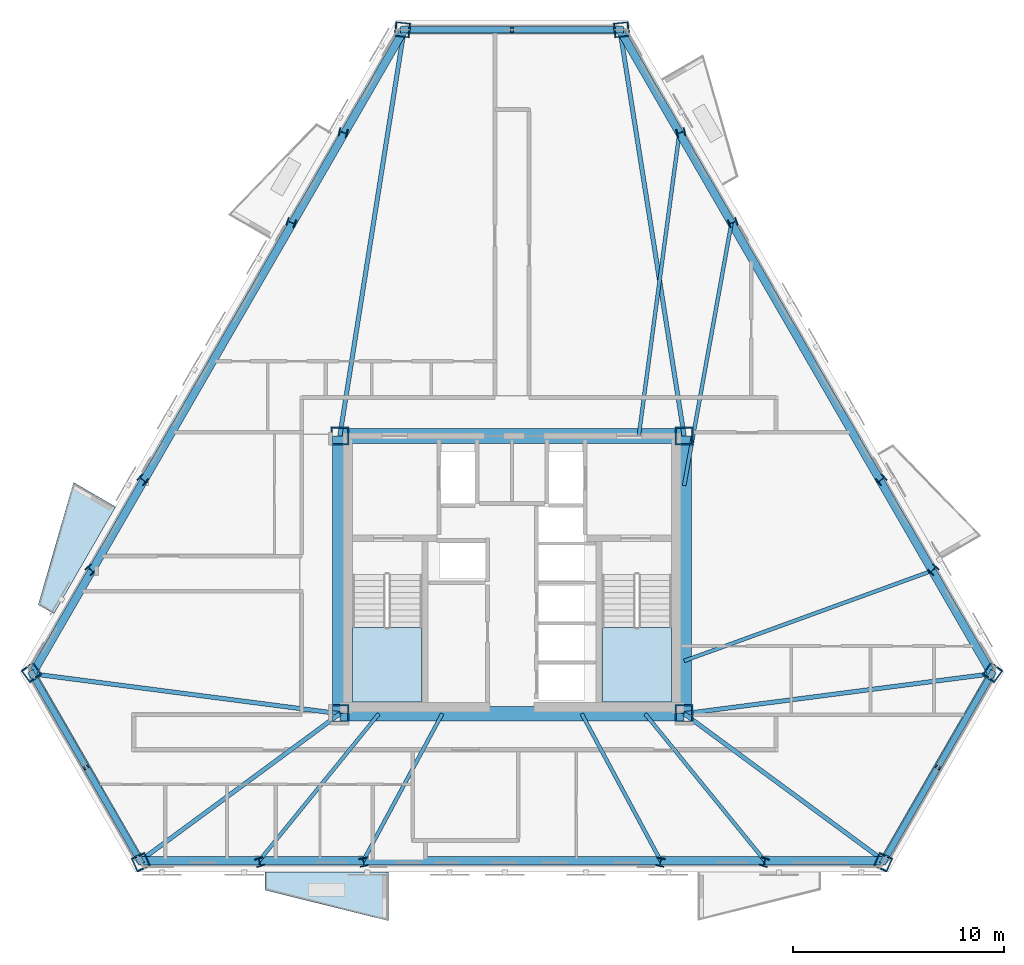
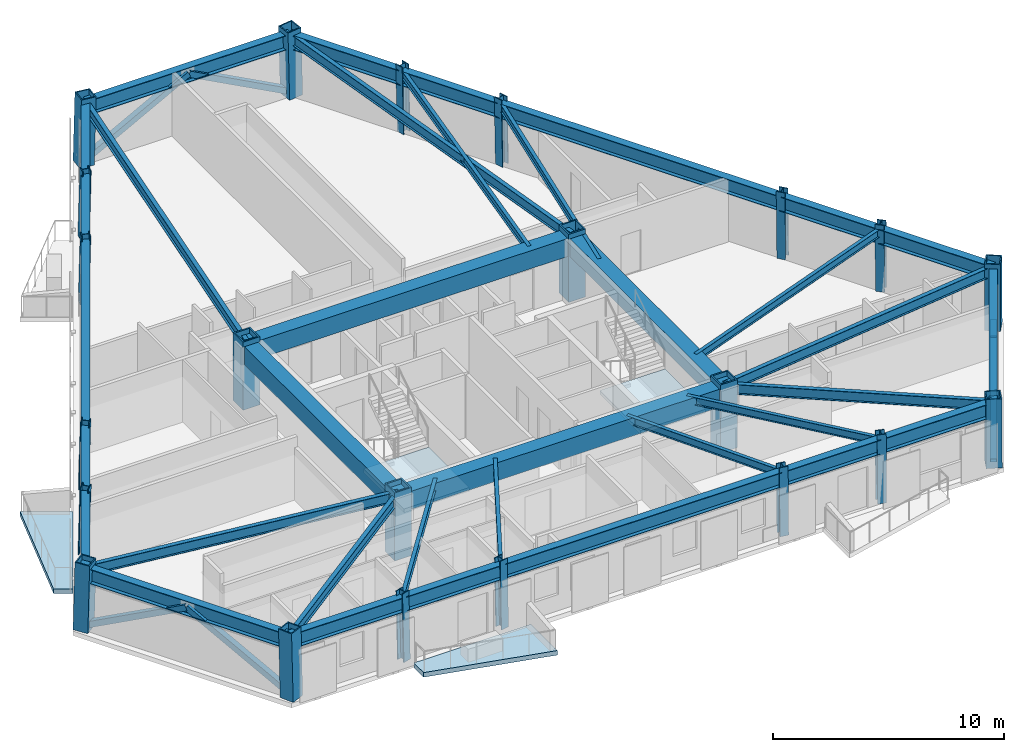
# One storey, part 1 of 9: 35 beams, 22 columns, 6 members, 4 slabs, 2 elements without a shape of their own.
"""IFC4 building model written with IfcOpenShell, lengths in metres."""

import ifcopenshell
import ifcopenshell.guid

model = None  # the IFC model being written
_history = None  # IfcOwnerHistory: only IFC2X3 demands one
_inside = {}  # id of a spatial element -> (the spatial element, [elements in it])
_under = {}  # id of a project, library or spatial element -> (it, [spatial elements below it])
_declared = {}  # id of a project -> (the project, [libraries it declares])
_typed = {}  # id of a type object -> (the type object, [elements of that type])
_made_of = {}  # id of a material, layer set ... -> (it, [elements and type objects made of it])


def new_model(schema):
    """Start an empty IFC model of exactly this schema.

    Asked for "IFC4X3", IfcOpenShell would pick the latest addendum, in which some entities
    have other attributes; the version numbers below select the first issue.
    IFC2X3 requires an IfcOwnerHistory on every rooted entity: one is made here for all.
    """
    global model, _history
    if schema == "IFC4X3":
        model = ifcopenshell.file(schema_version=(4, 3, 0, 0))
    else:
        model = ifcopenshell.file(schema=schema)
    _inside.clear()
    _under.clear()
    _declared.clear()
    _typed.clear()
    _made_of.clear()
    _history = None
    if model.schema == "IFC2X3":
        org = make("IfcOrganization", Name="unknown")
        user = make(
            "IfcPersonAndOrganization",
            ThePerson=make("IfcPerson", FamilyName="unknown"),
            TheOrganization=org,
        )
        app = make(
            "IfcApplication",
            ApplicationDeveloper=org,
            Version="unknown",
            ApplicationFullName="unknown",
            ApplicationIdentifier="unknown",
        )
        _history = make(
            "IfcOwnerHistory",
            OwningUser=user,
            OwningApplication=app,
            ChangeAction="ADDED",
            CreationDate=0,
        )
    return model


def make(cls, **values):
    """One entity of the class cls with the attributes given. An attribute that is None is left unset."""
    return model.create_entity(
        cls, **{name: value for name, value in values.items() if value is not None}
    )


def rooted(cls, **values):
    """An entity with a GlobalId (a new one), such as an element, a storey or a relation."""
    return make(cls, GlobalId=ifcopenshell.guid.new(), OwnerHistory=_history, **values)


def si_unit(unit_type, name, prefix=None):
    """IfcSIUnit, for example si_unit("LENGTHUNIT", "METRE", prefix="MILLI")."""
    return make("IfcSIUnit", UnitType=unit_type, Prefix=prefix, Name=name)


def assignment(units):
    """IfcUnitAssignment: the units of a project."""
    return None if units is None else make("IfcUnitAssignment", Units=units)


def point(xyz):
    """IfcCartesianPoint."""
    return None if xyz is None else make("IfcCartesianPoint", Coordinates=xyz)


def direction(xyz):
    """IfcDirection."""
    return None if xyz is None else make("IfcDirection", DirectionRatios=xyz)


def frame(location, z_axis=None, x_axis=None):
    """IfcAxis2Placement3D, a coordinate frame: its origin and axes. An axis left out is left unset."""
    return make(
        "IfcAxis2Placement3D",
        Location=point(location),
        Axis=direction(z_axis),
        RefDirection=direction(x_axis),
    )


def frame_2d(location, x_axis=None):
    """IfcAxis2Placement2D, a coordinate frame in the plane: its origin and x axis."""
    return make(
        "IfcAxis2Placement2D", Location=point(location), RefDirection=direction(x_axis)
    )


def origin():
    """The frame at (0, 0, 0) with its axes left unset."""
    return frame((0.0, 0.0, 0.0))


def origin_2d():
    """The frame at (0, 0) in the plane with its x axis left unset."""
    return frame_2d((0.0, 0.0))


def place(relative_to, where):
    """IfcLocalPlacement: puts the frame where relative to a parent placement (None: the world)."""
    return make(
        "IfcLocalPlacement", PlacementRelTo=relative_to, RelativePlacement=where
    )


def context(
    kind, dimensions, precision=None, world=None, true_north=None, identifier=None
):
    """IfcGeometricRepresentationContext, for example the 3D "Model" context."""
    return make(
        "IfcGeometricRepresentationContext",
        ContextIdentifier=identifier,
        ContextType=kind,
        CoordinateSpaceDimension=dimensions,
        Precision=precision,
        WorldCoordinateSystem=world,
        TrueNorth=true_north,
    )


def subcontext(parent, identifier, kind, view, scale=None):
    """IfcGeometricRepresentationSubContext, for example "Body" below "Model"."""
    return make(
        "IfcGeometricRepresentationSubContext",
        ContextIdentifier=identifier,
        ContextType=kind,
        ParentContext=parent,
        TargetScale=scale,
        TargetView=view,
    )


def project(units=None, contexts=None):
    """IfcProject with its units and contexts."""
    return rooted(
        "IfcProject",
        Name="project",
        RepresentationContexts=contexts,
        UnitsInContext=assignment(units),
    )


def spatial(cls, under=None, at=None, **own):
    """A site, building, storey or space (cls), placed at a placement, below another one or the project."""
    s = rooted(cls, ObjectPlacement=at, **own)
    if under is not None:
        _under.setdefault(under.id(), (under, []))[1].append(s)
    return s


def polyline(points):
    """IfcPolyline through the points."""
    return make("IfcPolyline", Points=[point(p) for p in points])


def profile(cls, at=None, kind="AREA", **sizes):
    """A parametric profile (cls). Its sizes go by their IFC names, for example OverallWidth=200.0."""
    return make(cls, ProfileType=kind, Position=at, **sizes)


def rectangle(**sizes):
    """IfcRectangleProfileDef."""
    return profile("IfcRectangleProfileDef", **sizes)


def hollow_rectangle(**sizes):
    """IfcRectangleHollowProfileDef."""
    return profile("IfcRectangleHollowProfileDef", **sizes)


def i_section(**sizes):
    """IfcIShapeProfileDef."""
    return profile("IfcIShapeProfileDef", **sizes)


def outline(outer, holes=None, kind="AREA"):
    """IfcArbitraryClosedProfileDef: a profile drawn as a closed curve; with holes, ...WithVoids."""
    if holes is None:
        return make("IfcArbitraryClosedProfileDef", ProfileType=kind, OuterCurve=outer)
    return make(
        "IfcArbitraryProfileDefWithVoids",
        ProfileType=kind,
        OuterCurve=outer,
        InnerCurves=holes,
    )


def extrude(swept, where, along, depth):
    """IfcExtrudedAreaSolid: the profile swept, set in the frame where, extruded along a direction by depth."""
    return make(
        "IfcExtrudedAreaSolid",
        SweptArea=swept,
        Position=where,
        ExtrudedDirection=direction(along),
        Depth=depth,
    )


def shape(context_of_items, identifier, shape_type, items):
    """IfcShapeRepresentation: the items that make up one representation, for example the "Body"."""
    return make(
        "IfcShapeRepresentation",
        ContextOfItems=context_of_items,
        RepresentationIdentifier=identifier,
        RepresentationType=shape_type,
        Items=items,
    )


def material(Name=None, Category=None):
    """IfcMaterial."""
    return make("IfcMaterial", Name=Name, Category=Category)


def layer(
    of_material, thickness, ventilated=None, Name=None, Category=None, Priority=None
):
    """IfcMaterialLayer: one layer of a wall or slab, of a material (None: an air gap)."""
    return make(
        "IfcMaterialLayer",
        Material=of_material,
        LayerThickness=thickness,
        IsVentilated=ventilated,
        Name=Name,
        Category=Category,
        Priority=Priority,
    )


def layer_set(layers, Name=None):
    """IfcMaterialLayerSet."""
    return make("IfcMaterialLayerSet", MaterialLayers=layers, LayerSetName=Name)


def material_profile(
    of_material, cross_section, Name=None, Category=None, Priority=None
):
    """IfcMaterialProfile: a cross section and its material."""
    return make(
        "IfcMaterialProfile",
        Name=Name,
        Material=of_material,
        Profile=cross_section,
        Priority=Priority,
        Category=Category,
    )


def profile_set(profiles, Name=None, composite=None):
    """IfcMaterialProfileSet."""
    return make(
        "IfcMaterialProfileSet",
        Name=Name,
        MaterialProfiles=profiles,
        CompositeProfile=composite,
    )


def made_of(thing, what):
    """Note that an element or type object is made of a material, layer set ...; save() writes the relation."""
    if what is not None:
        _made_of.setdefault(what.id(), (what, []))[1].append(thing)
    return thing


def type_object(cls, material=None, **own):
    """A type object (cls), such as IfcWallType, which elements share."""
    return made_of(rooted(cls, **own), material)


def element(
    cls,
    number,
    at=None,
    inside=None,
    cuts=None,
    type_object=None,
    material=None,
    context=None,
    identifier="Body",
    shape_type=None,
    held_by="IfcProductDefinitionShape",
    body=None,
    shapes=None,
    **own,
):
    """One element of the class cls, such as IfcWall. Its Tag is "e" and its number.

    at: its placement. inside: the storey or other place that contains it. cuts: it is an
    opening in that element (IfcRelVoidsElement). A single representation is given by context,
    identifier, shape_type and body (its items); several are given by shapes. held_by: the class
    of the entity that holds the representations. save() writes the other relations.
    """
    e = rooted(cls, Tag="e%d" % number, ObjectPlacement=at, **own)
    if body is not None:
        shapes = [shape(context, identifier, shape_type, body)]
    if shapes is not None:
        e.Representation = make(held_by, Representations=shapes)
    if inside is not None:
        _inside.setdefault(inside.id(), (inside, []))[1].append(e)
    if cuts is not None:
        rooted(
            "IfcRelVoidsElement", RelatingBuildingElement=cuts, RelatedOpeningElement=e
        )
    if type_object is not None:
        _typed.setdefault(type_object.id(), (type_object, []))[1].append(e)
    return made_of(e, material)


def aggregate(whole, parts):
    """IfcRelAggregates: a whole, such as a stair, and the parts it consists of."""
    return rooted("IfcRelAggregates", RelatingObject=whole, RelatedObjects=parts)


def save(model, path):
    """Write the relations noted so far, then the file.

    IfcRelAggregates (storeys below a building ...), IfcRelContainedInSpatialStructure (elements
    in a storey), IfcRelDefinesByType, IfcRelAssociatesMaterial and IfcRelDeclares: one each for
    every whole, place, type object, material and project.
    """
    for whole, parts in _under.values():
        aggregate(whole, parts)
    for where, things in _inside.values():
        rooted(
            "IfcRelContainedInSpatialStructure",
            RelatedElements=things,
            RelatingStructure=where,
        )
    for kind, things in _typed.values():
        rooted("IfcRelDefinesByType", RelatedObjects=things, RelatingType=kind)
    for what, things in _made_of.values():
        rooted("IfcRelAssociatesMaterial", RelatedObjects=things, RelatingMaterial=what)
    for by, libraries in _declared.values():
        rooted("IfcRelDeclares", RelatingContext=by, RelatedDefinitions=libraries)
    model.write(path)


model = new_model("IFC4")

# Units and contexts
model_context = context("Model", 3, precision=1e-05, world=origin(), true_north=direction((0.0, 1.0)))
body_context = subcontext(model_context, "Body", "Model", "MODEL_VIEW")
ifc_project = project(units=[si_unit("LENGTHUNIT", "METRE"), si_unit("AREAUNIT", "SQUARE_METRE"), si_unit("VOLUMEUNIT", "CUBIC_METRE"), si_unit("PLANEANGLEUNIT", "RADIAN"), si_unit("MASSUNIT", "GRAM", prefix="KILO")], contexts=[model_context])

# Site, building, storey
site_placement = place(None, origin())
site = spatial("IfcSite", under=ifc_project, at=site_placement, CompositionType="ELEMENT")
building_placement = place(site_placement, origin())
building = spatial("IfcBuilding", under=site, at=building_placement, Name="Oramaril Tower", CompositionType="ELEMENT")
storey_placement = place(building_placement, frame((0.0, 0.0, 130.199951171875)))
storey = spatial("IfcBuildingStorey", under=building, at=storey_placement, Name="L34", CompositionType="ELEMENT", Elevation=130.199951171875)

# Columns
ifc_material_1 = material(Name="Steel ASTM A572 Gr 50", Category="steel")
ifc_material_profile_1 = material_profile(ifc_material_1, hollow_rectangle(XDim=0.85009765625, YDim=0.85009765625, WallThickness=0.070068359375, at=origin_2d()), Name="BOX850X850X70")
ifc_profile_set_1 = profile_set([ifc_material_profile_1], Name="Steel ASTM A572 Gr 50")
column_type_1 = type_object("IfcColumnType", Name="CT-CC3", PredefinedType="COLUMN", material=ifc_profile_set_1)
for number, where, z_axis, x_axis, name in (
    (1, (29.35009765625, 11.0, 0.0), (0.0, 0.0, 1.0), (1.0, 0.0, 0.0), "L34 Core Column CC-1"),
    (2, (45.64990234375, 11.0, 0.0), (0.0, 0.0, 1.0), (1.0, 0.0, 0.0), "L34 Core Column CC-2"),
    (3, (45.64990234375, 24.14990234375, 0.0), (0.0, 0.0, 1.0), (1.0, 0.0, 0.0), "L34 Core Column CC-3"),
    (4, (29.35009765625, 24.14990234375, 0.0), (0.0, 0.0, 1.0), (1.0, 0.0, 0.0), "L34 Core Column CC-4"),
):
    element("IfcColumn", number, at=place(storey_placement, frame(where, z_axis=z_axis, x_axis=x_axis)), inside=storey, type_object=column_type_1, Name=name, PredefinedType="COLUMN", context=body_context, shape_type="SweptSolid", body=[
        extrude(hollow_rectangle(XDim=0.85009765625, YDim=0.85009765625, WallThickness=0.070068359375, at=origin_2d()), origin(), (0.0, 0.0, 1.0), 3.60009765625),
    ])
ifc_material_2 = material(Name="Steel ASTM A572 Gr 50", Category="steel")
ifc_material_profile_2 = material_profile(ifc_material_2, hollow_rectangle(XDim=0.699951171875, YDim=0.699951171875, WallThickness=0.054931640625, at=origin_2d()), Name="BOX700X700X55")
ifc_profile_set_2 = profile_set([ifc_material_profile_2], Name="Steel ASTM A572 Gr 50")
column_type_2 = type_object("IfcColumnType", Name="CT-TC4", PredefinedType="COLUMN", material=ifc_profile_set_2)
for number, where, z_axis, x_axis, name in (
    (5, (14.741943359375, 12.9619140625, 0.004638671875), (0.014477524401, -0.019915092251, 0.999696849244), (0.808855444891, 0.588007541849, 0.0), "L34 Tube Column TC-01"),
    (6, (19.939208984375, 3.9599609375, 0.004638671875), (-0.009991532032, 0.022497939474, 0.999696960087), (-0.913925372662, -0.4058822652, 0.0), "L34 Tube Column TC-02"),
    (7, (55.060791015625, 3.9599609375, 0.004638671875), (0.009991532032, 0.022497939474, 0.999696960087), (-0.913925372662, 0.4058822652, 0.0), "L34 Tube Column TC-03"),
    (8, (60.258056640625, 12.9619140625, 0.004638671875), (-0.014477524401, -0.019915092251, 0.999696849244), (0.808855444891, -0.588007541849, 0.0), "L34 Tube Column TC-04"),
    (9, (42.697265625, 43.378173828125, 0.004638671875), (-0.02446906516, -0.002582845767, 0.99969725105), (0.104972375691, -0.994475138122, 0.0), "L34 Tube Column TC-05"),
    (10, (32.302734375, 43.378173828125, 0.004638671875), (0.02446906516, -0.002582845767, 0.99969725105), (0.104972375691, 0.994475138122, 0.0), "L34 Tube Column TC-06"),
):
    element("IfcColumn", number, at=place(storey_placement, frame(where, z_axis=z_axis, x_axis=x_axis)), inside=storey, type_object=column_type_2, Name=name, PredefinedType="COLUMN", context=body_context, shape_type="SweptSolid", body=[
        extrude(hollow_rectangle(XDim=0.699951171875, YDim=0.699951171875, WallThickness=0.054931640625, at=origin_2d()), origin(), (0.0, 0.0, 1.0), 3.591796875),
    ])
ifc_material_3 = material(Name="Steel ASTM A572 Gr 50", Category="steel")
ifc_material_profile_3 = material_profile(ifc_material_3, i_section(OverallWidth=0.404052734375, OverallDepth=0.406005859375, WebThickness=0.027099609375, FlangeThickness=0.043701171875, at=origin_2d()), Name="W14X233")
ifc_profile_set_3 = profile_set([ifc_material_profile_3], Name="Steel ASTM A572 Gr 50")
column_type_3 = type_object("IfcColumnType", Name="CT-TF3", PredefinedType="COLUMN", material=ifc_profile_set_3)
for number, where, z_axis, x_axis, name in (
    (11, (25.55859375, 3.9599609375, 0.004638671875), (-0.006797142841, 0.022498542804, 0.999723769059), (-0.95726730132, -0.289204622755, 0.0), "L34 Tube Column TC-07"),
    (12, (30.4755859375, 3.9599609375, 0.004638671875), (-0.00401037467, 0.022498881623, 0.999738824504), (-0.984482674186, -0.175481805973, 0.0), "L34 Tube Column TC-08"),
    (13, (44.5244140625, 3.9599609375, 0.004638671875), (0.00401037467, 0.022498881623, 0.999738824504), (-0.984482674186, 0.175481805973, 0.0), "L34 Tube Column TC-09"),
    (14, (49.44140625, 3.9599609375, 0.004638671875), (0.006797142841, 0.022498542804, 0.999723769059), (-0.95726730132, 0.289204622755, 0.0), "L34 Tube Column TC-10"),
    (15, (57.448486328125, 17.82861328125, 0.004638671875), (-0.016109224365, -0.017128795528, 0.999723510404), (0.72845453556, -0.685094146539, 0.0), "L34 Tube Column TC-11"),
    (16, (54.989990234375, 22.0869140625, 0.004638671875), (-0.017536867872, -0.014750001272, 0.999737413388), (0.643678913108, -0.765295666276, 0.0), "L34 Tube Column TC-12"),
    (17, (47.965576171875, 34.25341796875, 0.004638671875), (-0.021479292907, -0.00781683128, 0.999738734433), (0.341981820704, -0.939706568195, 0.0), "L34 Tube Column TC-13"),
    (18, (45.507080078125, 38.51171875, 0.004638671875), (-0.022906349785, -0.005437709148, 0.999722826817), (0.230969943221, -0.972960885816, 0.0), "L34 Tube Column TC-14"),
    (19, (29.492919921875, 38.51171875, 0.004638671875), (0.022906349785, -0.005437709148, 0.999722826817), (0.230969943221, 0.972960885816, 0.0), "L34 Tube Column TC-15"),
    (20, (27.034423828125, 34.25341796875, 0.004638671875), (0.021479292907, -0.00781683128, 0.999738734433), (0.341981820704, 0.939706568195, 0.0), "L34 Tube Column TC-16"),
    (21, (20.010009765625, 22.0869140625, 0.004638671875), (0.017536867872, -0.014750001272, 0.999737413388), (0.643678913108, 0.765295666276, 0.0), "L34 Tube Column TC-17"),
    (22, (17.551513671875, 17.82861328125, 0.004638671875), (0.016109224365, -0.017128795528, 0.999723510404), (0.72845453556, 0.685094146539, 0.0), "L34 Tube Column TC-18"),
):
    element("IfcColumn", number, at=place(storey_placement, frame(where, z_axis=z_axis, x_axis=x_axis)), inside=storey, type_object=column_type_3, Name=name, PredefinedType="COLUMN", context=body_context, shape_type="SweptSolid", body=[
        extrude(i_section(OverallWidth=0.404052734375, OverallDepth=0.406005859375, WebThickness=0.027099609375, FlangeThickness=0.043701171875, at=origin_2d()), origin(), (0.0, 0.0, 1.0), 3.591796875),
    ])

# Beams
ifc_material_4 = material(Name="Concrete C50/60", Category="concrete")
ifc_material_profile_4 = material_profile(ifc_material_4, rectangle(XDim=0.699951171875, YDim=0.949951171875, at=origin_2d()), Name="CB700X950")
ifc_profile_set_4 = profile_set([ifc_material_profile_4], Name="Concrete C50/60")
beam_type_1 = type_object("IfcBeamType", Name="BT-CB1", PredefinedType="BEAM", material=ifc_profile_set_4)
beam_1_placement = place(storey_placement, frame((29.35009765625, 11.0, 2.864990234375), z_axis=(1.0, 0.0, 0.0), x_axis=(0.0, 1.0, 0.0)))
element("IfcBeam", 23, at=beam_1_placement, inside=storey, type_object=beam_type_1, Name="L34 Core Header Beam CB-1", PredefinedType="BEAM", context=body_context, shape_type="SweptSolid", body=[
    extrude(rectangle(XDim=0.699951171875, YDim=0.949951171875, at=origin_2d()), origin(), (0.0, 0.0, 1.0), 16.2998046875),
])
beam_2_placement = place(storey_placement, frame((45.64990234375, 11.0, 2.864990234375), z_axis=(0.0, 1.0, 0.0), x_axis=(-1.0, 0.0, 0.0)))
element("IfcBeam", 24, at=beam_2_placement, inside=storey, type_object=beam_type_1, Name="L34 Core Header Beam CB-2", PredefinedType="BEAM", context=body_context, shape_type="SweptSolid", body=[
    extrude(rectangle(XDim=0.699951171875, YDim=0.949951171875, at=origin_2d()), origin(), (0.0, 0.0, 1.0), 13.14990234375),
])
beam_3_placement = place(storey_placement, frame((45.64990234375, 24.14990234375, 2.864990234375), z_axis=(-1.0, 0.0, 0.0), x_axis=(0.0, -1.0, 0.0)))
element("IfcBeam", 25, at=beam_3_placement, inside=storey, type_object=beam_type_1, Name="L34 Core Header Beam CB-3", PredefinedType="BEAM", context=body_context, shape_type="SweptSolid", body=[
    extrude(rectangle(XDim=0.699951171875, YDim=0.949951171875, at=origin_2d()), origin(), (0.0, 0.0, 1.0), 16.2998046875),
])
beam_4_placement = place(storey_placement, frame((29.35009765625, 24.14990234375, 2.864990234375), z_axis=(0.0, -1.0, 0.0), x_axis=(1.0, 0.0, 0.0)))
element("IfcBeam", 26, at=beam_4_placement, inside=storey, type_object=beam_type_1, Name="L34 Core Header Beam CB-4", PredefinedType="BEAM", context=body_context, shape_type="SweptSolid", body=[
    extrude(rectangle(XDim=0.699951171875, YDim=0.949951171875, at=origin_2d()), origin(), (0.0, 0.0, 1.0), 13.14990234375),
])
ifc_material_5 = material(Name="Steel ASTM A572 Gr 50", Category="steel")
ifc_material_profile_5 = material_profile(ifc_material_5, i_section(OverallWidth=0.2099609375, OverallDepth=0.535888671875, WebThickness=0.010986328125, FlangeThickness=0.017333984375, at=origin_2d()), Name="W21X68")
ifc_profile_set_5 = profile_set([ifc_material_profile_5], Name="Steel ASTM A572 Gr 50")
beam_type_2 = type_object("IfcBeamType", Name="BT-FB2", PredefinedType="BEAM", material=ifc_profile_set_5)
beam_5_placement = place(storey_placement, frame((29.35009765625, 11.0, 3.072021484375), z_axis=(-0.991672321813, 0.128786669146, 0.0), x_axis=(-0.128786669146, -0.991672321813, 0.0)))
element("IfcBeam", 27, at=beam_5_placement, inside=storey, type_object=beam_type_2, Name="L34 Radial Primary Beam RB-01", PredefinedType="BEAM", context=body_context, shape_type="SweptSolid", body=[
    extrude(i_section(OverallWidth=0.2099609375, OverallDepth=0.535888671875, WebThickness=0.010986328125, FlangeThickness=0.017333984375, at=origin_2d()), origin(), (0.0, 0.0, 1.0), 14.678466796875),
])
for number, where, z_axis, x_axis, name in (
    (28, (29.35009765625, 11.0, 3.072021484375), (-0.805119113975, -0.593113153043, 0.0), (0.593113153043, -0.805119113975, 0.0), "L34 Radial Primary Beam RB-02"),
    (29, (45.64990234375, 11.0, 3.072021484375), (0.805119113975, -0.593113153043, 0.0), (0.593113153043, 0.805119113975, 0.0), "L34 Radial Primary Beam RB-03"),
):
    element("IfcBeam", number, at=place(storey_placement, frame(where, z_axis=z_axis, x_axis=x_axis)), inside=storey, type_object=beam_type_2, Name=name, PredefinedType="BEAM", context=body_context, shape_type="SweptSolid", body=[
        extrude(i_section(OverallWidth=0.2099609375, OverallDepth=0.535888671875, WebThickness=0.010986328125, FlangeThickness=0.017333984375, at=origin_2d()), origin(), (0.0, 0.0, 1.0), 11.7333984375),
    ])
beam_6_placement = place(storey_placement, frame((45.64990234375, 11.0, 3.072021484375), z_axis=(0.991672321813, 0.128786669146, 0.0), x_axis=(-0.128786669146, 0.991672321813, 0.0)))
element("IfcBeam", 30, at=beam_6_placement, inside=storey, type_object=beam_type_2, Name="L34 Radial Primary Beam RB-04", PredefinedType="BEAM", context=body_context, shape_type="SweptSolid", body=[
    extrude(i_section(OverallWidth=0.2099609375, OverallDepth=0.535888671875, WebThickness=0.010986328125, FlangeThickness=0.017333984375, at=origin_2d()), origin(), (0.0, 0.0, 1.0), 14.678466796875),
])
for number, where, z_axis, x_axis, name in (
    (31, (45.64990234375, 24.14990234375, 3.072021484375), (-0.156260880799, 0.987715818002, 0.0), (-0.987715818002, -0.156260880799, 0.0), "L34 Radial Primary Beam RB-05"),
    (32, (29.35009765625, 24.14990234375, 3.072021484375), (0.156260880799, 0.987715818002, 0.0), (-0.987715818002, 0.156260880799, 0.0), "L34 Radial Primary Beam RB-06"),
):
    element("IfcBeam", number, at=place(storey_placement, frame(where, z_axis=z_axis, x_axis=x_axis)), inside=storey, type_object=beam_type_2, Name=name, PredefinedType="BEAM", context=body_context, shape_type="SweptSolid", body=[
        extrude(i_section(OverallWidth=0.2099609375, OverallDepth=0.535888671875, WebThickness=0.010986328125, FlangeThickness=0.017333984375, at=origin_2d()), origin(), (0.0, 0.0, 1.0), 19.4580078125),
    ])
ifc_material_6 = material(Name="Steel ASTM A572 Gr 50", Category="steel")
ifc_material_profile_6 = material_profile(ifc_material_6, i_section(OverallWidth=0.177978515625, OverallDepth=0.404052734375, WebThickness=0.007568359375, FlangeThickness=0.010986328125, at=origin_2d()), Name="W16X36")
ifc_profile_set_6 = profile_set([ifc_material_profile_6], Name="Steel ASTM A572 Gr 50")
beam_type_3 = type_object("IfcBeamType", Name="BT-SB1", PredefinedType="BEAM", material=ifc_profile_set_6)
beam_7_placement = place(storey_placement, frame((31.199951171875, 11.0, 3.137939453125), z_axis=(-0.631357400598, -0.775491993969, 0.0), x_axis=(0.775491993969, -0.631357400598, 0.0)))
element("IfcBeam", 33, at=beam_7_placement, inside=storey, type_object=beam_type_3, Name="L34 Secondary Floor Beam SB-01", PredefinedType="BEAM", context=body_context, shape_type="SweptSolid", body=[
    extrude(i_section(OverallWidth=0.177978515625, OverallDepth=0.404052734375, WebThickness=0.007568359375, FlangeThickness=0.010986328125, at=origin_2d()), origin(), (0.0, 0.0, 1.0), 8.973876953125),
])
for number, where, z_axis, x_axis, name in (
    (34, (34.199951171875, 11.0, 3.137939453125), (-0.473264775016, -0.880920230628, 0.0), (0.880920230628, -0.473264775016, 0.0), "L34 Secondary Floor Beam SB-02"),
    (35, (40.800048828125, 11.0, 3.137939453125), (0.473264775016, -0.880920230628, 0.0), (0.880920230628, 0.473264775016, 0.0), "L34 Secondary Floor Beam SB-03"),
):
    element("IfcBeam", number, at=place(storey_placement, frame(where, z_axis=z_axis, x_axis=x_axis)), inside=storey, type_object=beam_type_3, Name=name, PredefinedType="BEAM", context=body_context, shape_type="SweptSolid", body=[
        extrude(i_section(OverallWidth=0.177978515625, OverallDepth=0.404052734375, WebThickness=0.007568359375, FlangeThickness=0.010986328125, at=origin_2d()), origin(), (0.0, 0.0, 1.0), 7.89990234375),
    ])
beam_8_placement = place(storey_placement, frame((43.800048828125, 11.0, 3.137939453125), z_axis=(0.631357400598, -0.775491993969, 0.0), x_axis=(0.775491993969, 0.631357400598, 0.0)))
element("IfcBeam", 36, at=beam_8_placement, inside=storey, type_object=beam_type_3, Name="L34 Secondary Floor Beam SB-04", PredefinedType="BEAM", context=body_context, shape_type="SweptSolid", body=[
    extrude(i_section(OverallWidth=0.177978515625, OverallDepth=0.404052734375, WebThickness=0.007568359375, FlangeThickness=0.010986328125, at=origin_2d()), origin(), (0.0, 0.0, 1.0), 8.973876953125),
])
beam_9_placement = place(storey_placement, frame((45.64990234375, 13.5, 3.137939453125), z_axis=(0.93985161269, 0.341583000345, 0.0), x_axis=(-0.341583000345, 0.93985161269, 0.0)))
element("IfcBeam", 37, at=beam_9_placement, inside=storey, type_object=beam_type_3, Name="L34 Secondary Floor Beam SB-05", PredefinedType="BEAM", context=body_context, shape_type="SweptSolid", body=[
    extrude(i_section(OverallWidth=0.177978515625, OverallDepth=0.404052734375, WebThickness=0.007568359375, FlangeThickness=0.010986328125, at=origin_2d()), origin(), (0.0, 0.0, 1.0), 12.4921875),
])
beam_10_placement = place(storey_placement, frame((45.64990234375, 21.800048828125, 3.137939453125), z_axis=(0.177304338669, 0.984156070697, 0.0), x_axis=(-0.984156070697, 0.177304338669, 0.0)))
element("IfcBeam", 38, at=beam_10_placement, inside=storey, type_object=beam_type_3, Name="L34 Secondary Floor Beam SB-06", PredefinedType="BEAM", context=body_context, shape_type="SweptSolid", body=[
    extrude(i_section(OverallWidth=0.177978515625, OverallDepth=0.404052734375, WebThickness=0.007568359375, FlangeThickness=0.010986328125, at=origin_2d()), origin(), (0.0, 0.0, 1.0), 12.625244140625),
])
beam_11_placement = place(storey_placement, frame((43.5, 24.14990234375, 3.137939453125), z_axis=(0.133012387804, 0.991114375181, 0.0), x_axis=(-0.991114375181, 0.133012387804, 0.0)))
element("IfcBeam", 39, at=beam_11_placement, inside=storey, type_object=beam_type_3, Name="L34 Secondary Floor Beam SB-07", PredefinedType="BEAM", context=body_context, shape_type="SweptSolid", body=[
    extrude(i_section(OverallWidth=0.177978515625, OverallDepth=0.404052734375, WebThickness=0.007568359375, FlangeThickness=0.010986328125, at=origin_2d()), origin(), (0.0, 0.0, 1.0), 14.470947265625),
])
ifc_material_7 = material(Name="Steel ASTM A572 Gr 50", Category="steel")
ifc_material_profile_7 = material_profile(ifc_material_7, i_section(OverallWidth=0.381103515625, OverallDepth=0.77197265625, WebThickness=0.0166015625, FlangeThickness=0.027099609375, at=origin_2d()), Name="W30X173")
ifc_profile_set_7 = profile_set([ifc_material_profile_7], Name="Steel ASTM A572 Gr 50")
beam_type_4 = type_object("IfcBeamType", Name="BT-SP2", PredefinedType="SPANDREL", material=ifc_profile_set_7)
beam_12_placement = place(storey_placement, frame((14.7939453125, 12.890380859375, 2.9541015625), z_axis=(0.500003717096, -0.866023257707, 0.0), x_axis=(0.866023257707, 0.500003717096, 0.0)))
element("IfcBeam", 40, at=beam_12_placement, inside=storey, type_object=beam_type_4, Name="L34 Perimeter Spandrel 01", PredefinedType="SPANDREL", context=body_context, shape_type="SweptSolid", body=[
    extrude(i_section(OverallWidth=0.381103515625, OverallDepth=0.77197265625, WebThickness=0.0166015625, FlangeThickness=0.027099609375, at=origin_2d()), origin(), (0.0, 0.0, 1.0), 10.21875),
])
beam_13_placement = place(storey_placement, frame((19.9033203125, 4.040771484375, 2.9541015625), z_axis=(1.0, 0.0, 0.0), x_axis=(0.0, 1.0, 0.0)))
element("IfcBeam", 41, at=beam_13_placement, inside=storey, type_object=beam_type_4, Name="L34 Perimeter Spandrel 02", PredefinedType="SPANDREL", context=body_context, shape_type="SweptSolid", body=[
    extrude(i_section(OverallWidth=0.381103515625, OverallDepth=0.77197265625, WebThickness=0.0166015625, FlangeThickness=0.027099609375, at=origin_2d()), origin(), (0.0, 0.0, 1.0), 5.630859375),
])
beam_14_placement = place(storey_placement, frame((25.5341796875, 4.040771484375, 2.9541015625), z_axis=(1.0, 0.0, 0.0), x_axis=(0.0, 1.0, 0.0)))
element("IfcBeam", 42, at=beam_14_placement, inside=storey, type_object=beam_type_4, Name="L34 Perimeter Spandrel 03", PredefinedType="SPANDREL", context=body_context, shape_type="SweptSolid", body=[
    extrude(i_section(OverallWidth=0.381103515625, OverallDepth=0.77197265625, WebThickness=0.0166015625, FlangeThickness=0.027099609375, at=origin_2d()), origin(), (0.0, 0.0, 1.0), 4.927001953125),
])
beam_15_placement = place(storey_placement, frame((30.461181640625, 4.040771484375, 2.9541015625), z_axis=(1.0, 0.0, 0.0), x_axis=(0.0, 1.0, 0.0)))
element("IfcBeam", 43, at=beam_15_placement, inside=storey, type_object=beam_type_4, Name="L34 Perimeter Spandrel 04", PredefinedType="SPANDREL", context=body_context, shape_type="SweptSolid", body=[
    extrude(i_section(OverallWidth=0.381103515625, OverallDepth=0.77197265625, WebThickness=0.0166015625, FlangeThickness=0.027099609375, at=origin_2d()), origin(), (0.0, 0.0, 1.0), 14.07763671875),
])
beam_16_placement = place(storey_placement, frame((44.538818359375, 4.040771484375, 2.9541015625), z_axis=(1.0, 0.0, 0.0), x_axis=(0.0, 1.0, 0.0)))
element("IfcBeam", 44, at=beam_16_placement, inside=storey, type_object=beam_type_4, Name="L34 Perimeter Spandrel 05", PredefinedType="SPANDREL", context=body_context, shape_type="SweptSolid", body=[
    extrude(i_section(OverallWidth=0.381103515625, OverallDepth=0.77197265625, WebThickness=0.0166015625, FlangeThickness=0.027099609375, at=origin_2d()), origin(), (0.0, 0.0, 1.0), 4.927001953125),
])
beam_17_placement = place(storey_placement, frame((49.4658203125, 4.040771484375, 2.9541015625), z_axis=(1.0, 0.0, 0.0), x_axis=(0.0, 1.0, 0.0)))
element("IfcBeam", 45, at=beam_17_placement, inside=storey, type_object=beam_type_4, Name="L34 Perimeter Spandrel 06", PredefinedType="SPANDREL", context=body_context, shape_type="SweptSolid", body=[
    extrude(i_section(OverallWidth=0.381103515625, OverallDepth=0.77197265625, WebThickness=0.0166015625, FlangeThickness=0.027099609375, at=origin_2d()), origin(), (0.0, 0.0, 1.0), 5.630859375),
])
beam_18_placement = place(storey_placement, frame((55.0966796875, 4.040771484375, 2.9541015625), z_axis=(0.500003717096, 0.866023257707, 0.0), x_axis=(-0.866023257707, 0.500003717096, 0.0)))
element("IfcBeam", 46, at=beam_18_placement, inside=storey, type_object=beam_type_4, Name="L34 Perimeter Spandrel 07", PredefinedType="SPANDREL", context=body_context, shape_type="SweptSolid", body=[
    extrude(i_section(OverallWidth=0.381103515625, OverallDepth=0.77197265625, WebThickness=0.0166015625, FlangeThickness=0.027099609375, at=origin_2d()), origin(), (0.0, 0.0, 1.0), 10.21875),
])
beam_19_placement = place(storey_placement, frame((60.2060546875, 12.890380859375, 2.9541015625), z_axis=(-0.499981412287, 0.86603613514, 0.0), x_axis=(-0.86603613514, -0.499981412287, 0.0)))
element("IfcBeam", 47, at=beam_19_placement, inside=storey, type_object=beam_type_4, Name="L34 Perimeter Spandrel 08", PredefinedType="SPANDREL", context=body_context, shape_type="SweptSolid", body=[
    extrude(i_section(OverallWidth=0.381103515625, OverallDepth=0.77197265625, WebThickness=0.0166015625, FlangeThickness=0.027099609375, at=origin_2d()), origin(), (0.0, 0.0, 1.0), 5.631103515625),
])
beam_20_placement = place(storey_placement, frame((57.390625, 17.76708984375, 2.9541015625), z_axis=(-0.500024131831, 0.866011470817, 0.0), x_axis=(-0.866011470817, -0.500024131831, 0.0)))
element("IfcBeam", 48, at=beam_20_placement, inside=storey, type_object=beam_type_4, Name="L34 Perimeter Spandrel 09", PredefinedType="SPANDREL", context=body_context, shape_type="SweptSolid", body=[
    extrude(i_section(OverallWidth=0.381103515625, OverallDepth=0.77197265625, WebThickness=0.0166015625, FlangeThickness=0.027099609375, at=origin_2d()), origin(), (0.0, 0.0, 1.0), 4.927001953125),
])
beam_21_placement = place(storey_placement, frame((54.927001953125, 22.033935546875, 2.9541015625), z_axis=(-0.499992676439, 0.866029632003, 0.0), x_axis=(-0.866029632003, -0.499992676439, 0.0)))
element("IfcBeam", 49, at=beam_21_placement, inside=storey, type_object=beam_type_4, Name="L34 Perimeter Spandrel 10", PredefinedType="SPANDREL", context=body_context, shape_type="SweptSolid", body=[
    extrude(i_section(OverallWidth=0.381103515625, OverallDepth=0.77197265625, WebThickness=0.0166015625, FlangeThickness=0.027099609375, at=origin_2d()), origin(), (0.0, 0.0, 1.0), 14.077392578125),
])
beam_22_placement = place(storey_placement, frame((47.888427734375, 34.225341796875, 2.9541015625), z_axis=(-0.500024131831, 0.866011470817, 0.0), x_axis=(-0.866011470817, -0.500024131831, 0.0)))
element("IfcBeam", 50, at=beam_22_placement, inside=storey, type_object=beam_type_4, Name="L34 Perimeter Spandrel 11", PredefinedType="SPANDREL", context=body_context, shape_type="SweptSolid", body=[
    extrude(i_section(OverallWidth=0.381103515625, OverallDepth=0.77197265625, WebThickness=0.0166015625, FlangeThickness=0.027099609375, at=origin_2d()), origin(), (0.0, 0.0, 1.0), 4.927001953125),
])
beam_23_placement = place(storey_placement, frame((45.4248046875, 38.4921875, 2.9541015625), z_axis=(-0.499981412287, 0.86603613514, 0.0), x_axis=(-0.86603613514, -0.499981412287, 0.0)))
element("IfcBeam", 51, at=beam_23_placement, inside=storey, type_object=beam_type_4, Name="L34 Perimeter Spandrel 12", PredefinedType="SPANDREL", context=body_context, shape_type="SweptSolid", body=[
    extrude(i_section(OverallWidth=0.381103515625, OverallDepth=0.77197265625, WebThickness=0.0166015625, FlangeThickness=0.027099609375, at=origin_2d()), origin(), (0.0, 0.0, 1.0), 5.631103515625),
])
beam_24_placement = place(storey_placement, frame((42.609375, 43.368896484375, 2.9541015625), z_axis=(-1.0, 0.0, 0.0), x_axis=(0.0, -1.0, 0.0)))
element("IfcBeam", 52, at=beam_24_placement, inside=storey, type_object=beam_type_4, Name="L34 Perimeter Spandrel 13", PredefinedType="SPANDREL", context=body_context, shape_type="SweptSolid", body=[
    extrude(i_section(OverallWidth=0.381103515625, OverallDepth=0.77197265625, WebThickness=0.0166015625, FlangeThickness=0.027099609375, at=origin_2d()), origin(), (0.0, 0.0, 1.0), 10.21875),
])
beam_25_placement = place(storey_placement, frame((32.390625, 43.368896484375, 2.9541015625), z_axis=(-0.499981412287, -0.86603613514, 0.0), x_axis=(0.86603613514, -0.499981412287, 0.0)))
element("IfcBeam", 53, at=beam_25_placement, inside=storey, type_object=beam_type_4, Name="L34 Perimeter Spandrel 14", PredefinedType="SPANDREL", context=body_context, shape_type="SweptSolid", body=[
    extrude(i_section(OverallWidth=0.381103515625, OverallDepth=0.77197265625, WebThickness=0.0166015625, FlangeThickness=0.027099609375, at=origin_2d()), origin(), (0.0, 0.0, 1.0), 5.631103515625),
])
beam_26_placement = place(storey_placement, frame((29.5751953125, 38.4921875, 2.9541015625), z_axis=(-0.500024131831, -0.866011470817, 0.0), x_axis=(0.866011470817, -0.500024131831, 0.0)))
element("IfcBeam", 54, at=beam_26_placement, inside=storey, type_object=beam_type_4, Name="L34 Perimeter Spandrel 15", PredefinedType="SPANDREL", context=body_context, shape_type="SweptSolid", body=[
    extrude(i_section(OverallWidth=0.381103515625, OverallDepth=0.77197265625, WebThickness=0.0166015625, FlangeThickness=0.027099609375, at=origin_2d()), origin(), (0.0, 0.0, 1.0), 4.927001953125),
])
beam_27_placement = place(storey_placement, frame((27.111572265625, 34.225341796875, 2.9541015625), z_axis=(-0.499992676439, -0.866029632003, 0.0), x_axis=(0.866029632003, -0.499992676439, 0.0)))
element("IfcBeam", 55, at=beam_27_placement, inside=storey, type_object=beam_type_4, Name="L34 Perimeter Spandrel 16", PredefinedType="SPANDREL", context=body_context, shape_type="SweptSolid", body=[
    extrude(i_section(OverallWidth=0.381103515625, OverallDepth=0.77197265625, WebThickness=0.0166015625, FlangeThickness=0.027099609375, at=origin_2d()), origin(), (0.0, 0.0, 1.0), 14.077392578125),
])
beam_28_placement = place(storey_placement, frame((20.072998046875, 22.033935546875, 2.9541015625), z_axis=(-0.500024131831, -0.866011470817, 0.0), x_axis=(0.866011470817, -0.500024131831, 0.0)))
element("IfcBeam", 56, at=beam_28_placement, inside=storey, type_object=beam_type_4, Name="L34 Perimeter Spandrel 17", PredefinedType="SPANDREL", context=body_context, shape_type="SweptSolid", body=[
    extrude(i_section(OverallWidth=0.381103515625, OverallDepth=0.77197265625, WebThickness=0.0166015625, FlangeThickness=0.027099609375, at=origin_2d()), origin(), (0.0, 0.0, 1.0), 4.927001953125),
])
beam_29_placement = place(storey_placement, frame((17.609375, 17.76708984375, 2.9541015625), z_axis=(-0.499981412287, -0.86603613514, 0.0), x_axis=(0.86603613514, -0.499981412287, 0.0)))
element("IfcBeam", 57, at=beam_29_placement, inside=storey, type_object=beam_type_4, Name="L34 Perimeter Spandrel 18", PredefinedType="SPANDREL", context=body_context, shape_type="SweptSolid", body=[
    extrude(i_section(OverallWidth=0.381103515625, OverallDepth=0.77197265625, WebThickness=0.0166015625, FlangeThickness=0.027099609375, at=origin_2d()), origin(), (0.0, 0.0, 1.0), 5.631103515625),
])

# Members
ifc_material_8 = material(Name="Steel ASTM A572 Gr 50", Category="steel")
ifc_material_profile_8 = material_profile(ifc_material_8, hollow_rectangle(XDim=0.300048828125, YDim=0.300048828125, WallThickness=0.01611328125, at=origin_2d()), Name="HSS300X300X16")
ifc_profile_set_8 = profile_set([ifc_material_profile_8], Name="Steel ASTM A572 Gr 50")
member_type = type_object("IfcMemberType", Name="MT-KB2", PredefinedType="BRACE", material=ifc_profile_set_8)
for number, where, z_axis, x_axis, name in (
    (58, (14.741943359375, 12.9619140625, 0.179931640625), (0.441094855409, -0.764000822465, 0.470890721722), (0.86602600511, 0.499998958472, 0.0), "L34 Perimeter Chevron Brace KB-1A"),
    (59, (19.939208984375, 3.9599609375, 0.179931640625), (-0.441094855409, 0.764000822465, 0.470890721722), (-0.86602600511, -0.499998958472, 0.0), "L34 Perimeter Chevron Brace KB-1B"),
    (60, (55.060791015625, 3.9599609375, 0.179931640625), (0.441094855409, 0.764000822465, 0.470890721722), (-0.86602600511, 0.499998958472, 0.0), "L34 Perimeter Chevron Brace KB-2A"),
    (61, (60.258056640625, 12.9619140625, 0.179931640625), (-0.441094855409, -0.764000822465, 0.470890721722), (0.86602600511, -0.499998958472, 0.0), "L34 Perimeter Chevron Brace KB-2B"),
    (62, (42.697265625, 43.378173828125, 0.179931640625), (-0.882191140993, 0.0, 0.470891485114), (0.0, -1.0, 0.0), "L34 Perimeter Chevron Brace KB-3A"),
    (63, (32.302734375, 43.378173828125, 0.179931640625), (0.882191140993, 0.0, 0.470891485114), (0.0, 1.0, 0.0), "L34 Perimeter Chevron Brace KB-3B"),
):
    element("IfcMember", number, at=place(storey_placement, frame(where, z_axis=z_axis, x_axis=x_axis)), inside=storey, type_object=member_type, Name=name, PredefinedType="BRACE", context=body_context, shape_type="SweptSolid", body=[
        extrude(hollow_rectangle(XDim=0.300048828125, YDim=0.300048828125, WallThickness=0.01611328125, at=origin_2d()), origin(), (0.0, 0.0, 1.0), 5.891357421875),
    ])

# Slab
ifc_material_9 = material(Name="Concrete C40/50", Category="concrete")
ifc_layer_1 = layer(ifc_material_9, 0.199951171875)
ifc_layer_set_1 = layer_set([ifc_layer_1], Name="SLT-BAL20")
slab_type_1 = type_object("IfcSlabType", Name="SLT-BAL20", PredefinedType="FLOOR", material=ifc_layer_set_1)
slab_1_placement = place(storey_placement, frame((0.0, 0.0, -0.239990234375)))
element("IfcSlab", 64, at=slab_1_placement, inside=storey, type_object=slab_type_1, Name="L34 Cantilevered Balcony Slab L34-BAL-NW2", PredefinedType="FLOOR", context=body_context, shape_type="SweptSolid", body=[
    extrude(outline(polyline([(18.7373046875, 20.79833984375), (15.8125, 15.732177734375), (15.07470703125, 16.158203125), (16.743896484375, 21.949462890625), (18.7373046875, 20.79833984375)])), origin(), (0.0, 0.0, 1.0), 0.239990234375),
])

# Stair, slab
ifc_material_10 = material(Name="Concrete C50/60", Category="concrete")
stair_type = type_object("IfcStairType", Name="STT-DG-3600", PredefinedType="HALF_TURN_STAIR", material=ifc_material_10)
stair_1_placement = place(storey_placement, origin())
stair_1 = element("IfcStair", 65, at=stair_1_placement, inside=storey, type_object=stair_type, Name="L34 Protected PFP Exit Stair ST-1", PredefinedType="HALF_TURN_STAIR")
ifc_material_11 = material(Name="Concrete C50/60", Category="concrete")
ifc_layer_2 = layer(ifc_material_11, 0.199951171875)
ifc_layer_set_2 = layer_set([ifc_layer_2], Name="SLT-LND20")
slab_type_2 = type_object("IfcSlabType", Name="SLT-LND20", PredefinedType="LANDING", material=ifc_layer_set_2)
slab_2_placement = place(storey_placement, frame((0.0, 0.0, 1.60009765625)))
slab_2 = element("IfcSlab", 66, at=slab_2_placement, type_object=slab_type_2, Name="ST-1 landing 1", PredefinedType="LANDING", context=body_context, shape_type="SweptSolid", body=[
    extrude(outline(polyline([(29.949951171875, 15.070068359375), (29.949951171875, 11.550048828125), (33.219970703125, 11.550048828125), (33.219970703125, 15.070068359375), (29.949951171875, 15.070068359375)])), origin(), (0.0, 0.0, 1.0), 0.199951171875),
])
aggregate(stair_1, [slab_2])

stair_2_placement = place(storey_placement, origin())
stair_2 = element("IfcStair", 67, at=stair_2_placement, inside=storey, type_object=stair_type, Name="L34 Protected PFP Exit Stair ST-2", PredefinedType="HALF_TURN_STAIR")
slab_3_placement = place(storey_placement, frame((0.0, 0.0, 1.60009765625)))
slab_3 = element("IfcSlab", 68, at=slab_3_placement, type_object=slab_type_2, Name="ST-2 landing 1", PredefinedType="LANDING", context=body_context, shape_type="SweptSolid", body=[
    extrude(outline(polyline([(41.780029296875, 15.070068359375), (41.780029296875, 11.550048828125), (45.050048828125, 11.550048828125), (45.050048828125, 15.070068359375), (41.780029296875, 15.070068359375)])), origin(), (0.0, 0.0, 1.0), 0.199951171875),
])
aggregate(stair_2, [slab_3])

# Slab
ifc_material_12 = material(Name="Concrete C40/50", Category="concrete")
ifc_layer_3 = layer(ifc_material_12, 0.18994140625)
ifc_layer_set_3 = layer_set([ifc_layer_3], Name="SLT-PLN19")
slab_type_3 = type_object("IfcSlabType", Name="SLT-PLN19", PredefinedType="FLOOR", material=ifc_layer_set_3)
slab_4_placement = place(storey_placement, frame((0.0, 0.0, -0.239990234375)))
element("IfcSlab", 69, at=slab_4_placement, inside=storey, type_object=slab_type_3, Name="L34 Tree Planter Balcony Slab L34-BAL-S1", PredefinedType="FLOOR", context=body_context, shape_type="SweptSolid", body=[
    extrude(outline(polyline([(25.798583984375, 3.501953125), (31.648681640625, 3.501953125), (31.648681640625, 1.199951171875), (25.798583984375, 2.64990234375), (25.798583984375, 3.501953125)])), origin(), (0.0, 0.0, 1.0), 0.239990234375),
])

save(model, "model.ifc")
